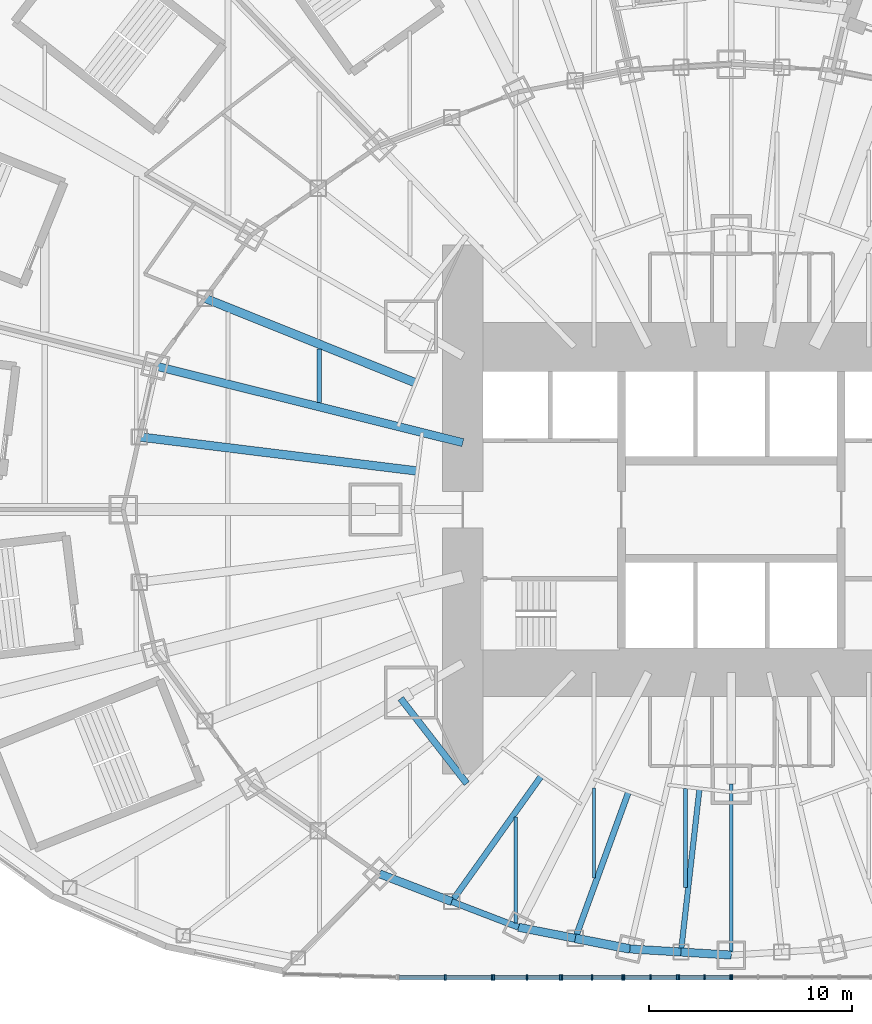
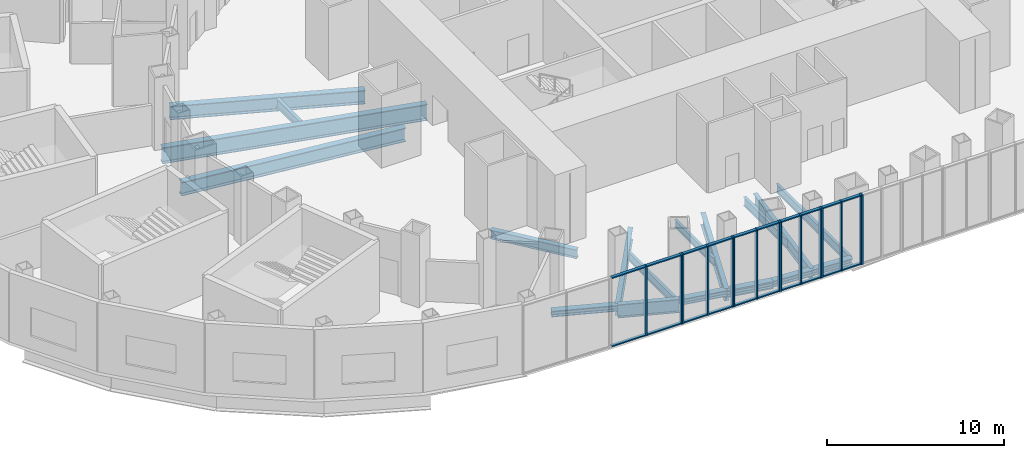
# One storey, part 3 of 73: 35 members, 18 beams, 6 elements without a shape of their own.
"""IFC4 building model written with IfcOpenShell, lengths in metres."""

from ifc_helpers import new_model, si_unit, direction, frame, origin, origin_2d, place, context, subcontext, project, spatial, rectangle, i_section, extrude, material, material_profile, profile_set, type_object, element, aggregate, save


model = new_model("IFC4")

# Units and contexts
model_context = context("Model", 3, precision=1e-05, world=origin(), true_north=direction((0.0, 1.0)))
body_context = subcontext(model_context, "Body", "Model", "MODEL_VIEW")
ifc_project = project(units=[si_unit("LENGTHUNIT", "METRE"), si_unit("AREAUNIT", "SQUARE_METRE"), si_unit("VOLUMEUNIT", "CUBIC_METRE"), si_unit("PLANEANGLEUNIT", "RADIAN"), si_unit("MASSUNIT", "GRAM", prefix="KILO")], contexts=[model_context])

# Site, building, storey
site_placement = place(None, origin())
site = spatial("IfcSite", under=ifc_project, at=site_placement, CompositionType="ELEMENT")
building_placement = place(site_placement, origin())
building = spatial("IfcBuilding", under=site, at=building_placement, Name="Lantaw Convention Tower", CompositionType="ELEMENT")
storey_placement = place(building_placement, frame((0.0, 0.0, 27.0)))
storey = spatial("IfcBuildingStorey", under=building, at=storey_placement, Name="L04", CompositionType="ELEMENT", Elevation=27.0)

# Beams
ifc_material_1 = material(Name="Steel ASTM A992", Category="steel")
ifc_material_profile_1 = material_profile(ifc_material_1, i_section(OverallWidth=0.40380859375, OverallDepth=0.406494140625, WebThickness=0.027099609375, FlangeThickness=0.043701171875, FilletRadius=0.01513671875, at=origin_2d()), Name="W14X233")
ifc_profile_set_1 = profile_set([ifc_material_profile_1], Name="Steel ASTM A992")
beam_type_1 = type_object("IfcBeamType", Name="Beam E W14X233", PredefinedType="SPANDREL", material=ifc_profile_set_1)
beam_1_placement = place(storey_placement, frame((-17.290771484375, -17.9052734375, -0.4033203125), z_axis=(0.933224646415, -0.359293416754, 0.0), x_axis=(0.359293416754, 0.933224646415, 0.0)))
element("IfcBeam", 1, at=beam_1_placement, inside=storey, type_object=beam_type_1, Name="Edge beam 16", PredefinedType="SPANDREL", context=body_context, shape_type="SweptSolid", body=[
    extrude(i_section(OverallWidth=0.40380859375, OverallDepth=0.406494140625, WebThickness=0.027099609375, FlangeThickness=0.043701171875, FilletRadius=0.01513671875, at=origin_2d()), origin(), (0.0, 0.0, 1.0), 3.799072265625),
])
beam_2_placement = place(storey_placement, frame((-10.462646484375, -20.533935546875, -0.4033203125), z_axis=(0.98163593748, -0.190763954266, 0.0), x_axis=(0.190763954266, 0.98163593748, 0.0)))
element("IfcBeam", 2, at=beam_2_placement, inside=storey, type_object=beam_type_1, Name="Edge beam 17", PredefinedType="SPANDREL", context=body_context, shape_type="SweptSolid", body=[
    extrude(i_section(OverallWidth=0.40380859375, OverallDepth=0.406494140625, WebThickness=0.027099609375, FlangeThickness=0.043701171875, FilletRadius=0.01513671875, at=origin_2d()), origin(), (0.0, 0.0, 1.0), 2.84375),
])
beam_3_placement = place(storey_placement, frame((-4.986328125, -21.59814453125, -0.4033203125), z_axis=(0.998172405641, -0.060430527186, 0.0), x_axis=(0.060430527186, 0.998172405641, 0.0)))
element("IfcBeam", 3, at=beam_3_placement, inside=storey, type_object=beam_type_1, Name="Edge beam 18", PredefinedType="SPANDREL", context=body_context, shape_type="SweptSolid", body=[
    extrude(i_section(OverallWidth=0.40380859375, OverallDepth=0.406494140625, WebThickness=0.027099609375, FlangeThickness=0.043701171875, FilletRadius=0.01513671875, at=origin_2d()), origin(), (0.0, 0.0, 1.0), 2.512939453125),
])
beam_4_placement = place(storey_placement, frame((-2.47802734375, -21.75, -0.4033203125), z_axis=(0.998175328335, -0.060382231685, 0.0), x_axis=(0.060382231685, 0.998175328335, 0.0)))
element("IfcBeam", 4, at=beam_4_placement, inside=storey, type_object=beam_type_1, Name="Edge beam 18", PredefinedType="SPANDREL", context=body_context, shape_type="SweptSolid", body=[
    extrude(i_section(OverallWidth=0.40380859375, OverallDepth=0.406494140625, WebThickness=0.027099609375, FlangeThickness=0.043701171875, FilletRadius=0.01513671875, at=origin_2d()), origin(), (0.0, 0.0, 1.0), 2.482666015625),
])
ifc_material_profile_2 = material_profile(ifc_material_1, i_section(OverallWidth=0.431884765625, OverallDepth=0.497802734375, WebThickness=0.0556640625, FlangeThickness=0.0888671875, FilletRadius=0.01513671875, at=origin_2d()), Name="W14X500")
ifc_profile_set_2 = profile_set([ifc_material_profile_2], Name="Steel ASTM A992")
beam_type_2 = type_object("IfcBeamType", Name="Beam E W14X500", PredefinedType="SPANDREL", material=ifc_profile_set_2)
beam_5_placement = place(storey_placement, frame((-7.671142578125, -21.076416015625, -0.448974609375), z_axis=(0.981637218105, -0.190757364289, 0.0), x_axis=(0.190757364289, 0.981637218105, 0.0)))
element("IfcBeam", 5, at=beam_5_placement, inside=storey, type_object=beam_type_2, Name="Edge beam 17", PredefinedType="SPANDREL", context=body_context, shape_type="SweptSolid", body=[
    extrude(i_section(OverallWidth=0.431884765625, OverallDepth=0.497802734375, WebThickness=0.0556640625, FlangeThickness=0.0888671875, FilletRadius=0.01513671875, at=origin_2d()), origin(), (0.0, 0.0, 1.0), 2.735107421875),
])
ifc_material_profile_3 = material_profile(ifc_material_1, i_section(OverallWidth=0.307373046875, OverallDepth=0.922119140625, WebThickness=0.018310546875, FlangeThickness=0.030029296875, FilletRadius=0.0126953125, at=origin_2d()), Name="W36X182")
ifc_profile_set_3 = profile_set([ifc_material_profile_3], Name="Steel ASTM A992")
beam_type_3 = type_object("IfcBeamType", Name="Beam E W36X182", PredefinedType="SPANDREL", material=ifc_profile_set_3)
beam_6_placement = place(storey_placement, frame((-13.745361328125, -19.270263671875, -0.660888671875), z_axis=(0.933241815012, -0.359248820058, 0.0), x_axis=(0.359248820058, 0.933241815012, 0.0)))
element("IfcBeam", 6, at=beam_6_placement, inside=storey, type_object=beam_type_3, Name="Edge beam 16", PredefinedType="SPANDREL", context=body_context, shape_type="SweptSolid", body=[
    extrude(i_section(OverallWidth=0.307373046875, OverallDepth=0.922119140625, WebThickness=0.018310546875, FlangeThickness=0.030029296875, FilletRadius=0.0126953125, at=origin_2d()), origin(), (0.0, 0.0, 1.0), 3.517578125),
])
ifc_material_profile_4 = material_profile(ifc_material_1, i_section(OverallWidth=0.177978515625, OverallDepth=0.599365234375, WebThickness=0.010009765625, FlangeThickness=0.012939453125, FilletRadius=0.012939453125, at=origin_2d()), Name="W24X55")
ifc_profile_set_4 = profile_set([ifc_material_profile_4], Name="Steel ASTM A992")
beam_type_4 = type_object("IfcBeamType", Name="Beam G W24X55", PredefinedType="BEAM", material=ifc_profile_set_4)
beam_7_placement = place(storey_placement, frame((0.0, -13.5, -0.499755859375), z_axis=(0.0, -1.0, 0.0), x_axis=(1.0, 0.0, 0.0)))
element("IfcBeam", 7, at=beam_7_placement, inside=storey, type_object=beam_type_4, Name="Floor girder on ray 19", PredefinedType="BEAM", context=body_context, shape_type="SweptSolid", body=[
    extrude(i_section(OverallWidth=0.177978515625, OverallDepth=0.599365234375, WebThickness=0.010009765625, FlangeThickness=0.012939453125, FilletRadius=0.012939453125, at=origin_2d()), origin(), (0.0, 0.0, 1.0), 8.39990234375),
])
ifc_material_profile_5 = material_profile(ifc_material_1, i_section(OverallWidth=0.2666015625, OverallDepth=0.76953125, WebThickness=0.015625, FlangeThickness=0.025390625, FilletRadius=0.0126953125, at=origin_2d()), Name="W30X132")
ifc_profile_set_5 = profile_set([ifc_material_profile_5], Name="Steel ASTM A992")
beam_type_5 = type_object("IfcBeamType", Name="Beam G W30X132", PredefinedType="BEAM", material=ifc_profile_set_5)
beam_8_placement = place(storey_placement, frame((-1.5625, -13.713134765625, -0.584716796875), z_axis=(-0.113183957156, -0.993574049501, 0.0), x_axis=(0.993574049501, -0.113183957156, 0.0)))
element("IfcBeam", 8, at=beam_8_placement, inside=storey, type_object=beam_type_5, Name="Floor girder on bisector 18", PredefinedType="BEAM", context=body_context, shape_type="SweptSolid", body=[
    extrude(i_section(OverallWidth=0.2666015625, OverallDepth=0.76953125, WebThickness=0.015625, FlangeThickness=0.025390625, FilletRadius=0.0126953125, at=origin_2d()), origin(), (0.0, 0.0, 1.0), 8.0888671875),
])
ifc_material_profile_6 = material_profile(ifc_material_1, i_section(OverallWidth=0.2919921875, OverallDepth=0.845703125, WebThickness=0.015380859375, FlangeThickness=0.0244140625, FilletRadius=0.01513671875, at=origin_2d()), Name="W33X141")
ifc_profile_set_6 = profile_set([ifc_material_profile_6], Name="Steel ASTM A992")
beam_type_6 = type_object("IfcBeamType", Name="Beam G W33X141", PredefinedType="BEAM", material=ifc_profile_set_6)
beam_9_placement = place(storey_placement, frame((-9.335693359375, -13.088134765625, -0.622802734375), z_axis=(-0.580702805158, -0.814115625745, 0.0), x_axis=(0.814115625745, -0.580702805158, 0.0)))
element("IfcBeam", 9, at=beam_9_placement, inside=storey, type_object=beam_type_6, Name="Floor girder on bisector 16", PredefinedType="BEAM", context=body_context, shape_type="SweptSolid", body=[
    extrude(i_section(OverallWidth=0.2919921875, OverallDepth=0.845703125, WebThickness=0.015380859375, FlangeThickness=0.0244140625, FilletRadius=0.01513671875, at=origin_2d()), origin(), (0.0, 0.0, 1.0), 7.59375),
])
beam_10_placement = place(storey_placement, frame((-5.04931640625, -13.873046875, -0.622802734375), z_axis=(-0.342021781151, -0.939692024664, 0.0), x_axis=(0.939692024664, -0.342021781151, 0.0)))
element("IfcBeam", 10, at=beam_10_placement, inside=storey, type_object=beam_type_6, Name="Floor girder on bisector 17", PredefinedType="BEAM", context=body_context, shape_type="SweptSolid", body=[
    extrude(i_section(OverallWidth=0.2919921875, OverallDepth=0.845703125, WebThickness=0.015380859375, FlangeThickness=0.0244140625, FilletRadius=0.01513671875, at=origin_2d()), origin(), (0.0, 0.0, 1.0), 7.665771484375),
])
ifc_material_profile_7 = material_profile(ifc_material_1, i_section(OverallWidth=0.421630859375, OverallDepth=0.937255859375, WebThickness=0.0224609375, FlangeThickness=0.039794921875, FilletRadius=0.02001953125, at=origin_2d()), Name="W36X282")
ifc_profile_set_7 = profile_set([ifc_material_profile_7], Name="Steel ASTM A992")
beam_type_7 = type_object("IfcBeamType", Name="Beam G W36X282", PredefinedType="BEAM", material=ifc_profile_set_7)
beam_11_placement = place(storey_placement, frame((-15.52001953125, 6.23046875, -0.668701171875), z_axis=(-0.928018900171, 0.372533113864, 0.0), x_axis=(-0.372533113864, -0.928018900171, 0.0)))
element("IfcBeam", 11, at=beam_11_placement, inside=storey, type_object=beam_type_7, Name="Floor girder on bisector 11", PredefinedType="BEAM", context=body_context, shape_type="SweptSolid", body=[
    extrude(i_section(OverallWidth=0.421630859375, OverallDepth=0.937255859375, WebThickness=0.0224609375, FlangeThickness=0.039794921875, FilletRadius=0.02001953125, at=origin_2d()), origin(), (0.0, 0.0, 1.0), 11.161376953125),
])
beam_12_placement = place(storey_placement, frame((-15.433349609375, 1.89501953125, -0.668701171875), z_axis=(-0.99254612715, 0.121869542874, 0.0), x_axis=(-0.121869542874, -0.99254612715, 0.0)))
element("IfcBeam", 12, at=beam_12_placement, inside=storey, type_object=beam_type_7, Name="Floor girder on bisector 12", PredefinedType="BEAM", context=body_context, shape_type="SweptSolid", body=[
    extrude(i_section(OverallWidth=0.421630859375, OverallDepth=0.937255859375, WebThickness=0.0224609375, FlangeThickness=0.039794921875, FilletRadius=0.02001953125, at=origin_2d()), origin(), (0.0, 0.0, 1.0), 13.7685546875),
])
ifc_material_profile_8 = material_profile(ifc_material_1, i_section(OverallWidth=0.40380859375, OverallDepth=1.11767578125, WebThickness=0.026123046875, FlangeThickness=0.044921875, FilletRadius=0.02001953125, at=origin_2d()), Name="W44X335")
ifc_profile_set_8 = profile_set([ifc_material_profile_8], Name="Steel ASTM A992")
beam_type_8 = type_object("IfcBeamType", Name="Beam G W44X335", PredefinedType="BEAM", material=ifc_profile_set_8)
beam_13_placement = place(storey_placement, frame((-13.199951171875, 3.291015625, -0.7587890625), z_axis=(-0.970296233567, 0.241919860957, 0.0), x_axis=(-0.241919860957, -0.970296233567, 0.0)))
element("IfcBeam", 13, at=beam_13_placement, inside=storey, type_object=beam_type_8, Name="Floor girder on ray 12", PredefinedType="BEAM", context=body_context, shape_type="SweptSolid", body=[
    extrude(i_section(OverallWidth=0.40380859375, OverallDepth=1.11767578125, WebThickness=0.026123046875, FlangeThickness=0.044921875, FilletRadius=0.02001953125, at=origin_2d()), origin(), (0.0, 0.0, 1.0), 15.580810546875),
])
ifc_material_profile_9 = material_profile(ifc_material_1, i_section(OverallWidth=0.3251953125, OverallDepth=0.612060546875, WebThickness=0.0126953125, FlangeThickness=0.01904296875, FilletRadius=0.0126953125, at=origin_2d()), Name="W24X104")
ifc_profile_set_9 = profile_set([ifc_material_profile_9], Name="Steel ASTM A992")
beam_type_9 = type_object("IfcBeamType", Name="Beam HC W24X104", PredefinedType="BEAM", material=ifc_profile_set_9)
beam_14_placement = place(storey_placement, frame((-16.2529296875, -9.287353515625, -0.506103515625), z_axis=(0.613915067401, -0.789372085913, 0.0), x_axis=(0.789372085913, 0.613915067401, 0.0)))
element("IfcBeam", 14, at=beam_14_placement, inside=storey, type_object=beam_type_9, Name="Collar beam on bisector 15", PredefinedType="BEAM", context=body_context, shape_type="SweptSolid", body=[
    extrude(i_section(OverallWidth=0.3251953125, OverallDepth=0.612060546875, WebThickness=0.0126953125, FlangeThickness=0.01904296875, FilletRadius=0.0126953125, at=origin_2d()), origin(), (0.0, 0.0, 1.0), 5.293212890625),
])
ifc_material_profile_10 = material_profile(ifc_material_1, i_section(OverallWidth=0.1650390625, OverallDepth=0.52587890625, WebThickness=0.0087890625, FlangeThickness=0.011474609375, FilletRadius=0.0126953125, at=origin_2d()), Name="W21X44")
ifc_profile_set_10 = profile_set([ifc_material_profile_10], Name="Steel ASTM A992")
beam_type_10 = type_object("IfcBeamType", Name="Beam J W21X44", PredefinedType="JOIST", material=ifc_profile_set_10)
beam_15_placement = place(storey_placement, frame((-6.75, -18.118408203125, -0.462890625), z_axis=(0.0, 1.0, 0.0), x_axis=(-1.0, 0.0, 0.0)))
element("IfcBeam", 15, at=beam_15_placement, inside=storey, type_object=beam_type_10, Name="Floor joist", PredefinedType="JOIST", context=body_context, shape_type="SweptSolid", body=[
    extrude(i_section(OverallWidth=0.1650390625, OverallDepth=0.52587890625, WebThickness=0.0087890625, FlangeThickness=0.011474609375, FilletRadius=0.0126953125, at=origin_2d()), origin(), (0.0, 0.0, 1.0), 4.425048828125),
])
ifc_material_profile_11 = material_profile(ifc_material_1, i_section(OverallWidth=0.177978515625, OverallDepth=0.599365234375, WebThickness=0.010009765625, FlangeThickness=0.012939453125, FilletRadius=0.012939453125, at=origin_2d()), Name="W24X55")
ifc_profile_set_11 = profile_set([ifc_material_profile_11], Name="Steel ASTM A992")
beam_type_11 = type_object("IfcBeamType", Name="Beam J W24X55", PredefinedType="JOIST", material=ifc_profile_set_11)
beam_16_placement = place(storey_placement, frame((-10.60009765625, -20.31640625, -0.499755859375), z_axis=(0.0, 1.0, 0.0), x_axis=(-1.0, 0.0, 0.0)))
element("IfcBeam", 16, at=beam_16_placement, inside=storey, type_object=beam_type_11, Name="Floor joist", PredefinedType="JOIST", context=body_context, shape_type="SweptSolid", body=[
    extrude(i_section(OverallWidth=0.177978515625, OverallDepth=0.599365234375, WebThickness=0.010009765625, FlangeThickness=0.012939453125, FilletRadius=0.012939453125, at=origin_2d()), origin(), (0.0, 0.0, 1.0), 5.204345703125),
])
beam_17_placement = place(storey_placement, frame((-2.25, -18.570068359375, -0.499755859375), z_axis=(0.0, 1.0, 0.0), x_axis=(-1.0, 0.0, 0.0)))
element("IfcBeam", 17, at=beam_17_placement, inside=storey, type_object=beam_type_11, Name="Floor joist", PredefinedType="JOIST", context=body_context, shape_type="SweptSolid", body=[
    extrude(i_section(OverallWidth=0.177978515625, OverallDepth=0.599365234375, WebThickness=0.010009765625, FlangeThickness=0.012939453125, FilletRadius=0.012939453125, at=origin_2d()), origin(), (0.0, 0.0, 1.0), 4.851806640625),
])
ifc_material_profile_12 = material_profile(ifc_material_1, i_section(OverallWidth=0.227783203125, OverallDepth=0.60205078125, WebThickness=0.010498046875, FlangeThickness=0.014892578125, FilletRadius=0.012939453125, at=origin_2d()), Name="W24X68")
ifc_profile_set_12 = profile_set([ifc_material_profile_12], Name="Steel ASTM A992")
beam_type_12 = type_object("IfcBeamType", Name="Beam J W24X68", PredefinedType="JOIST", material=ifc_profile_set_12)
beam_18_placement = place(storey_placement, frame((-20.25, 5.257080078125, -0.5009765625), z_axis=(0.0, 1.0, 0.0), x_axis=(-1.0, 0.0, 0.0)))
element("IfcBeam", 18, at=beam_18_placement, inside=storey, type_object=beam_type_12, Name="Floor joist", PredefinedType="JOIST", context=body_context, shape_type="SweptSolid", body=[
    extrude(i_section(OverallWidth=0.227783203125, OverallDepth=0.60205078125, WebThickness=0.010498046875, FlangeThickness=0.014892578125, FilletRadius=0.012939453125, at=origin_2d()), origin(), (0.0, 0.0, 1.0), 2.64501953125),
])

# Curtain wall, members
ifc_material_2 = material(Name="Aluminium framed curtain wall", Category="aluminium")
curtain_wall_type = type_object("IfcCurtainWallType", Name="Podium storefront curtain wall, pale aluminium", PredefinedType="USERDEFINED", material=ifc_material_2)
curtain_wall_1_placement = place(storey_placement, origin())
curtain_wall_1 = element("IfcCurtainWall", 19, at=curtain_wall_1_placement, inside=storey, type_object=curtain_wall_type, Name="Podium storefront curtain wall, pale aluminium L04", ObjectType="STOREFRONT", PredefinedType="USERDEFINED")
ifc_material_3 = material(Name="Aluminium 6063-T6", Category="aluminium")
ifc_material_profile_13 = material_profile(ifc_material_3, rectangle(XDim=0.25, YDim=0.080078125, at=origin_2d()), Name="CW-P mullion 80x250")
ifc_profile_set_13 = profile_set([ifc_material_profile_13], Name="Aluminium 6063-T6")
member_type_1 = type_object("IfcMemberType", Name="CW-P mullion 80x250", PredefinedType="MULLION", material=ifc_profile_set_13)
member_1_placement = place(storey_placement, frame((-14.0625, -23.0, 0.0), z_axis=(0.0, 0.0, 1.0), x_axis=(0.0, 1.0, 0.0)))
member_1 = element("IfcMember", 20, at=member_1_placement, type_object=member_type_1, Name="CW-P mullion 2", PredefinedType="MULLION", context=body_context, shape_type="SweptSolid", body=[
    extrude(rectangle(XDim=0.25, YDim=0.080078125, at=origin_2d()), origin(), (0.0, 0.0, 1.0), 4.800048828125),
])
member_2_placement = place(storey_placement, frame((-11.759033203125, -23.0, 0.0), z_axis=(0.0, 0.0, 1.0), x_axis=(0.0, 1.0, 0.0)))
member_2 = element("IfcMember", 21, at=member_2_placement, type_object=member_type_1, Name="CW-P mullion 3", PredefinedType="MULLION", context=body_context, shape_type="SweptSolid", body=[
    extrude(rectangle(XDim=0.25, YDim=0.080078125, at=origin_2d()), origin(), (0.0, 0.0, 1.0), 4.800048828125),
])

curtain_wall_2_placement = place(storey_placement, origin())
curtain_wall_2 = element("IfcCurtainWall", 22, at=curtain_wall_2_placement, inside=storey, type_object=curtain_wall_type, Name="Podium storefront curtain wall, pale aluminium L04", ObjectType="STOREFRONT", PredefinedType="USERDEFINED")
member_3_placement = place(storey_placement, frame((-11.67919921875, -23.0, 0.0), z_axis=(0.0, 0.0, 1.0), x_axis=(0.0, 1.0, 0.0)))
member_3 = element("IfcMember", 23, at=member_3_placement, type_object=member_type_1, Name="CW-P mullion 1", PredefinedType="MULLION", context=body_context, shape_type="SweptSolid", body=[
    extrude(rectangle(XDim=0.25, YDim=0.080078125, at=origin_2d()), origin(), (0.0, 0.0, 1.0), 4.800048828125),
])
member_4_placement = place(storey_placement, frame((-10.045166015625, -23.0, 0.0), z_axis=(0.0, 0.0, 1.0), x_axis=(0.0, 1.0, 0.0)))
member_4 = element("IfcMember", 24, at=member_4_placement, type_object=member_type_1, Name="CW-P mullion 2", PredefinedType="MULLION", context=body_context, shape_type="SweptSolid", body=[
    extrude(rectangle(XDim=0.25, YDim=0.080078125, at=origin_2d()), origin(), (0.0, 0.0, 1.0), 4.800048828125),
])
member_5_placement = place(storey_placement, frame((-8.411376953125, -23.0, 0.0), z_axis=(0.0, 0.0, 1.0), x_axis=(0.0, 1.0, 0.0)))
member_5 = element("IfcMember", 25, at=member_5_placement, type_object=member_type_1, Name="CW-P mullion 3", PredefinedType="MULLION", context=body_context, shape_type="SweptSolid", body=[
    extrude(rectangle(XDim=0.25, YDim=0.080078125, at=origin_2d()), origin(), (0.0, 0.0, 1.0), 4.800048828125),
])

curtain_wall_3_placement = place(storey_placement, origin())
curtain_wall_3 = element("IfcCurtainWall", 26, at=curtain_wall_3_placement, inside=storey, type_object=curtain_wall_type, Name="Podium storefront curtain wall, pale aluminium L04", ObjectType="STOREFRONT", PredefinedType="USERDEFINED")
member_6_placement = place(storey_placement, frame((-8.331298828125, -23.0, 0.0), z_axis=(0.0, 0.0, 1.0), x_axis=(0.0, 1.0, 0.0)))
member_6 = element("IfcMember", 27, at=member_6_placement, type_object=member_type_1, Name="CW-P mullion 1", PredefinedType="MULLION", context=body_context, shape_type="SweptSolid", body=[
    extrude(rectangle(XDim=0.25, YDim=0.080078125, at=origin_2d()), origin(), (0.0, 0.0, 1.0), 4.800048828125),
])
member_7_placement = place(storey_placement, frame((-6.840576171875, -23.0, 0.0), z_axis=(0.0, 0.0, 1.0), x_axis=(0.0, 1.0, 0.0)))
member_7 = element("IfcMember", 28, at=member_7_placement, type_object=member_type_1, Name="CW-P mullion 2", PredefinedType="MULLION", context=body_context, shape_type="SweptSolid", body=[
    extrude(rectangle(XDim=0.25, YDim=0.080078125, at=origin_2d()), origin(), (0.0, 0.0, 1.0), 4.800048828125),
])
member_8_placement = place(storey_placement, frame((-5.349853515625, -23.0, 0.0), z_axis=(0.0, 0.0, 1.0), x_axis=(0.0, 1.0, 0.0)))
member_8 = element("IfcMember", 29, at=member_8_placement, type_object=member_type_1, Name="CW-P mullion 3", PredefinedType="MULLION", context=body_context, shape_type="SweptSolid", body=[
    extrude(rectangle(XDim=0.25, YDim=0.080078125, at=origin_2d()), origin(), (0.0, 0.0, 1.0), 4.800048828125),
])

curtain_wall_4_placement = place(storey_placement, origin())
curtain_wall_4 = element("IfcCurtainWall", 30, at=curtain_wall_4_placement, inside=storey, type_object=curtain_wall_type, Name="Podium storefront curtain wall, pale aluminium L04", ObjectType="STOREFRONT", PredefinedType="USERDEFINED")
member_9_placement = place(storey_placement, frame((-5.27001953125, -23.0, 0.0), z_axis=(0.0, 0.0, 1.0), x_axis=(0.0, 1.0, 0.0)))
member_9 = element("IfcMember", 31, at=member_9_placement, type_object=member_type_1, Name="CW-P mullion 1", PredefinedType="MULLION", context=body_context, shape_type="SweptSolid", body=[
    extrude(rectangle(XDim=0.25, YDim=0.080078125, at=origin_2d()), origin(), (0.0, 0.0, 1.0), 4.800048828125),
])
member_10_placement = place(storey_placement, frame((-3.96533203125, -23.0, 0.0), z_axis=(0.0, 0.0, 1.0), x_axis=(0.0, 1.0, 0.0)))
member_10 = element("IfcMember", 32, at=member_10_placement, type_object=member_type_1, Name="CW-P mullion 2", PredefinedType="MULLION", context=body_context, shape_type="SweptSolid", body=[
    extrude(rectangle(XDim=0.25, YDim=0.080078125, at=origin_2d()), origin(), (0.0, 0.0, 1.0), 4.800048828125),
])
member_11_placement = place(storey_placement, frame((-2.660400390625, -23.0, 0.0), z_axis=(0.0, 0.0, 1.0), x_axis=(0.0, 1.0, 0.0)))
member_11 = element("IfcMember", 33, at=member_11_placement, type_object=member_type_1, Name="CW-P mullion 3", PredefinedType="MULLION", context=body_context, shape_type="SweptSolid", body=[
    extrude(rectangle(XDim=0.25, YDim=0.080078125, at=origin_2d()), origin(), (0.0, 0.0, 1.0), 4.800048828125),
])

curtain_wall_5_placement = place(storey_placement, origin())
curtain_wall_5 = element("IfcCurtainWall", 34, at=curtain_wall_5_placement, inside=storey, type_object=curtain_wall_type, Name="Podium storefront curtain wall, pale aluminium L04", ObjectType="STOREFRONT", PredefinedType="USERDEFINED")
member_12_placement = place(storey_placement, frame((-2.58056640625, -23.0, 0.0), z_axis=(0.0, 0.0, 1.0), x_axis=(0.0, 1.0, 0.0)))
member_12 = element("IfcMember", 35, at=member_12_placement, type_object=member_type_1, Name="CW-P mullion 1", PredefinedType="MULLION", context=body_context, shape_type="SweptSolid", body=[
    extrude(rectangle(XDim=0.25, YDim=0.080078125, at=origin_2d()), origin(), (0.0, 0.0, 1.0), 4.800048828125),
])
member_13_placement = place(storey_placement, frame((-1.310302734375, -23.0, 0.0), z_axis=(0.0, 0.0, 1.0), x_axis=(0.0, 1.0, 0.0)))
member_13 = element("IfcMember", 36, at=member_13_placement, type_object=member_type_1, Name="CW-P mullion 2", PredefinedType="MULLION", context=body_context, shape_type="SweptSolid", body=[
    extrude(rectangle(XDim=0.25, YDim=0.080078125, at=origin_2d()), origin(), (0.0, 0.0, 1.0), 4.800048828125),
])
member_14_placement = place(storey_placement, frame((-0.0400390625, -23.0, 0.0), z_axis=(0.0, 0.0, 1.0), x_axis=(0.0, 1.0, 0.0)))
member_14 = element("IfcMember", 37, at=member_14_placement, type_object=member_type_1, Name="CW-P mullion 3", PredefinedType="MULLION", context=body_context, shape_type="SweptSolid", body=[
    extrude(rectangle(XDim=0.25, YDim=0.080078125, at=origin_2d()), origin(), (0.0, 0.0, 1.0), 4.800048828125),
])

# Curtain wall, member
curtain_wall_6_placement = place(storey_placement, origin())
curtain_wall_6 = element("IfcCurtainWall", 38, at=curtain_wall_6_placement, inside=storey, type_object=curtain_wall_type, Name="Podium storefront curtain wall, pale aluminium L04", ObjectType="STOREFRONT", PredefinedType="USERDEFINED")
member_15_placement = place(storey_placement, frame((0.0400390625, -23.0, 0.0), z_axis=(0.0, 0.0, 1.0), x_axis=(0.0, 1.0, 0.0)))
member_15 = element("IfcMember", 39, at=member_15_placement, type_object=member_type_1, Name="CW-P mullion 1", PredefinedType="MULLION", context=body_context, shape_type="SweptSolid", body=[
    extrude(rectangle(XDim=0.25, YDim=0.080078125, at=origin_2d()), origin(), (0.0, 0.0, 1.0), 4.800048828125),
])
aggregate(curtain_wall_6, [member_15])

# Member
ifc_material_profile_14 = material_profile(ifc_material_3, rectangle(XDim=0.199951171875, YDim=0.080078125, at=origin_2d()), Name="CW-P transom 80x200")
ifc_profile_set_14 = profile_set([ifc_material_profile_14], Name="Aluminium 6063-T6")
member_type_2 = type_object("IfcMemberType", Name="CW-P transom 80x200", PredefinedType="USERDEFINED", material=ifc_profile_set_14)
member_16_placement = place(storey_placement, frame((-16.32568359375, -23.0, 0.0400390625), z_axis=(1.0, 0.0, 0.0), x_axis=(0.0, 1.0, 0.0)))
member_16 = element("IfcMember", 40, at=member_16_placement, type_object=member_type_2, Name="CW-P transom 1.1", ObjectType="TRANSOM", PredefinedType="USERDEFINED", context=body_context, shape_type="SweptSolid", body=[
    extrude(rectangle(XDim=0.199951171875, YDim=0.080078125, at=origin_2d()), origin(), (0.0, 0.0, 1.0), 2.223388671875),
])

member_17_placement = place(storey_placement, frame((-16.32568359375, -23.0, 4.760009765625), z_axis=(1.0, 0.0, 0.0), x_axis=(0.0, 1.0, 0.0)))
member_17 = element("IfcMember", 41, at=member_17_placement, type_object=member_type_2, Name="CW-P transom 1.2", ObjectType="TRANSOM", PredefinedType="USERDEFINED", context=body_context, shape_type="SweptSolid", body=[
    extrude(rectangle(XDim=0.199951171875, YDim=0.080078125, at=origin_2d()), origin(), (0.0, 0.0, 1.0), 2.223388671875),
])

member_18_placement = place(storey_placement, frame((-14.0224609375, -23.0, 0.0400390625), z_axis=(1.0, 0.0, 0.0), x_axis=(0.0, 1.0, 0.0)))
member_18 = element("IfcMember", 42, at=member_18_placement, type_object=member_type_2, Name="CW-P transom 2.1", ObjectType="TRANSOM", PredefinedType="USERDEFINED", context=body_context, shape_type="SweptSolid", body=[
    extrude(rectangle(XDim=0.199951171875, YDim=0.080078125, at=origin_2d()), origin(), (0.0, 0.0, 1.0), 2.223388671875),
])

member_19_placement = place(storey_placement, frame((-14.0224609375, -23.0, 4.760009765625), z_axis=(1.0, 0.0, 0.0), x_axis=(0.0, 1.0, 0.0)))
member_19 = element("IfcMember", 43, at=member_19_placement, type_object=member_type_2, Name="CW-P transom 2.2", ObjectType="TRANSOM", PredefinedType="USERDEFINED", context=body_context, shape_type="SweptSolid", body=[
    extrude(rectangle(XDim=0.199951171875, YDim=0.080078125, at=origin_2d()), origin(), (0.0, 0.0, 1.0), 2.223388671875),
])

aggregate(curtain_wall_1, [member_1, member_2, member_16, member_17, member_18, member_19])

member_20_placement = place(storey_placement, frame((-11.63916015625, -23.0, 0.0400390625), z_axis=(1.0, 0.0, 0.0), x_axis=(0.0, 1.0, 0.0)))
member_20 = element("IfcMember", 44, at=member_20_placement, type_object=member_type_2, Name="CW-P transom 1.1", ObjectType="TRANSOM", PredefinedType="USERDEFINED", context=body_context, shape_type="SweptSolid", body=[
    extrude(rectangle(XDim=0.199951171875, YDim=0.080078125, at=origin_2d()), origin(), (0.0, 0.0, 1.0), 1.553955078125),
])

member_21_placement = place(storey_placement, frame((-11.63916015625, -23.0, 4.760009765625), z_axis=(1.0, 0.0, 0.0), x_axis=(0.0, 1.0, 0.0)))
member_21 = element("IfcMember", 45, at=member_21_placement, type_object=member_type_2, Name="CW-P transom 1.2", ObjectType="TRANSOM", PredefinedType="USERDEFINED", context=body_context, shape_type="SweptSolid", body=[
    extrude(rectangle(XDim=0.199951171875, YDim=0.080078125, at=origin_2d()), origin(), (0.0, 0.0, 1.0), 1.553955078125),
])

member_22_placement = place(storey_placement, frame((-10.005126953125, -23.0, 0.0400390625), z_axis=(1.0, 0.0, 0.0), x_axis=(0.0, 1.0, 0.0)))
member_22 = element("IfcMember", 46, at=member_22_placement, type_object=member_type_2, Name="CW-P transom 2.1", ObjectType="TRANSOM", PredefinedType="USERDEFINED", context=body_context, shape_type="SweptSolid", body=[
    extrude(rectangle(XDim=0.199951171875, YDim=0.080078125, at=origin_2d()), origin(), (0.0, 0.0, 1.0), 1.5537109375),
])

member_23_placement = place(storey_placement, frame((-10.005126953125, -23.0, 4.760009765625), z_axis=(1.0, 0.0, 0.0), x_axis=(0.0, 1.0, 0.0)))
member_23 = element("IfcMember", 47, at=member_23_placement, type_object=member_type_2, Name="CW-P transom 2.2", ObjectType="TRANSOM", PredefinedType="USERDEFINED", context=body_context, shape_type="SweptSolid", body=[
    extrude(rectangle(XDim=0.199951171875, YDim=0.080078125, at=origin_2d()), origin(), (0.0, 0.0, 1.0), 1.5537109375),
])

aggregate(curtain_wall_2, [member_3, member_4, member_5, member_20, member_21, member_22, member_23])

member_24_placement = place(storey_placement, frame((-8.291259765625, -23.0, 0.0400390625), z_axis=(1.0, 0.0, 0.0), x_axis=(0.0, 1.0, 0.0)))
member_24 = element("IfcMember", 48, at=member_24_placement, type_object=member_type_2, Name="CW-P transom 1.1", ObjectType="TRANSOM", PredefinedType="USERDEFINED", context=body_context, shape_type="SweptSolid", body=[
    extrude(rectangle(XDim=0.199951171875, YDim=0.080078125, at=origin_2d()), origin(), (0.0, 0.0, 1.0), 1.41064453125),
])

member_25_placement = place(storey_placement, frame((-8.291259765625, -23.0, 4.760009765625), z_axis=(1.0, 0.0, 0.0), x_axis=(0.0, 1.0, 0.0)))
member_25 = element("IfcMember", 49, at=member_25_placement, type_object=member_type_2, Name="CW-P transom 1.2", ObjectType="TRANSOM", PredefinedType="USERDEFINED", context=body_context, shape_type="SweptSolid", body=[
    extrude(rectangle(XDim=0.199951171875, YDim=0.080078125, at=origin_2d()), origin(), (0.0, 0.0, 1.0), 1.41064453125),
])

member_26_placement = place(storey_placement, frame((-6.800537109375, -23.0, 0.0400390625), z_axis=(1.0, 0.0, 0.0), x_axis=(0.0, 1.0, 0.0)))
member_26 = element("IfcMember", 50, at=member_26_placement, type_object=member_type_2, Name="CW-P transom 2.1", ObjectType="TRANSOM", PredefinedType="USERDEFINED", context=body_context, shape_type="SweptSolid", body=[
    extrude(rectangle(XDim=0.199951171875, YDim=0.080078125, at=origin_2d()), origin(), (0.0, 0.0, 1.0), 1.41064453125),
])

member_27_placement = place(storey_placement, frame((-6.800537109375, -23.0, 4.760009765625), z_axis=(1.0, 0.0, 0.0), x_axis=(0.0, 1.0, 0.0)))
member_27 = element("IfcMember", 51, at=member_27_placement, type_object=member_type_2, Name="CW-P transom 2.2", ObjectType="TRANSOM", PredefinedType="USERDEFINED", context=body_context, shape_type="SweptSolid", body=[
    extrude(rectangle(XDim=0.199951171875, YDim=0.080078125, at=origin_2d()), origin(), (0.0, 0.0, 1.0), 1.41064453125),
])

aggregate(curtain_wall_3, [member_6, member_7, member_8, member_24, member_25, member_26, member_27])

member_28_placement = place(storey_placement, frame((-5.22998046875, -23.0, 0.0400390625), z_axis=(1.0, 0.0, 0.0), x_axis=(0.0, 1.0, 0.0)))
member_28 = element("IfcMember", 52, at=member_28_placement, type_object=member_type_2, Name="CW-P transom 1.1", ObjectType="TRANSOM", PredefinedType="USERDEFINED", context=body_context, shape_type="SweptSolid", body=[
    extrude(rectangle(XDim=0.199951171875, YDim=0.080078125, at=origin_2d()), origin(), (0.0, 0.0, 1.0), 1.224853515625),
])

member_29_placement = place(storey_placement, frame((-5.22998046875, -23.0, 4.760009765625), z_axis=(1.0, 0.0, 0.0), x_axis=(0.0, 1.0, 0.0)))
member_29 = element("IfcMember", 53, at=member_29_placement, type_object=member_type_2, Name="CW-P transom 1.2", ObjectType="TRANSOM", PredefinedType="USERDEFINED", context=body_context, shape_type="SweptSolid", body=[
    extrude(rectangle(XDim=0.199951171875, YDim=0.080078125, at=origin_2d()), origin(), (0.0, 0.0, 1.0), 1.224853515625),
])

member_30_placement = place(storey_placement, frame((-3.92529296875, -23.0, 0.0400390625), z_axis=(1.0, 0.0, 0.0), x_axis=(0.0, 1.0, 0.0)))
member_30 = element("IfcMember", 54, at=member_30_placement, type_object=member_type_2, Name="CW-P transom 2.1", ObjectType="TRANSOM", PredefinedType="USERDEFINED", context=body_context, shape_type="SweptSolid", body=[
    extrude(rectangle(XDim=0.199951171875, YDim=0.080078125, at=origin_2d()), origin(), (0.0, 0.0, 1.0), 1.224853515625),
])

member_31_placement = place(storey_placement, frame((-3.92529296875, -23.0, 4.760009765625), z_axis=(1.0, 0.0, 0.0), x_axis=(0.0, 1.0, 0.0)))
member_31 = element("IfcMember", 55, at=member_31_placement, type_object=member_type_2, Name="CW-P transom 2.2", ObjectType="TRANSOM", PredefinedType="USERDEFINED", context=body_context, shape_type="SweptSolid", body=[
    extrude(rectangle(XDim=0.199951171875, YDim=0.080078125, at=origin_2d()), origin(), (0.0, 0.0, 1.0), 1.224853515625),
])

aggregate(curtain_wall_4, [member_9, member_10, member_11, member_28, member_29, member_30, member_31])

member_32_placement = place(storey_placement, frame((-2.54052734375, -23.0, 0.0400390625), z_axis=(1.0, 0.0, 0.0), x_axis=(0.0, 1.0, 0.0)))
member_32 = element("IfcMember", 56, at=member_32_placement, type_object=member_type_2, Name="CW-P transom 1.1", ObjectType="TRANSOM", PredefinedType="USERDEFINED", context=body_context, shape_type="SweptSolid", body=[
    extrude(rectangle(XDim=0.199951171875, YDim=0.080078125, at=origin_2d()), origin(), (0.0, 0.0, 1.0), 1.190185546875),
])

member_33_placement = place(storey_placement, frame((-2.54052734375, -23.0, 4.760009765625), z_axis=(1.0, 0.0, 0.0), x_axis=(0.0, 1.0, 0.0)))
member_33 = element("IfcMember", 57, at=member_33_placement, type_object=member_type_2, Name="CW-P transom 1.2", ObjectType="TRANSOM", PredefinedType="USERDEFINED", context=body_context, shape_type="SweptSolid", body=[
    extrude(rectangle(XDim=0.199951171875, YDim=0.080078125, at=origin_2d()), origin(), (0.0, 0.0, 1.0), 1.190185546875),
])

member_34_placement = place(storey_placement, frame((-1.270263671875, -23.0, 0.0400390625), z_axis=(1.0, 0.0, 0.0), x_axis=(0.0, 1.0, 0.0)))
member_34 = element("IfcMember", 58, at=member_34_placement, type_object=member_type_2, Name="CW-P transom 2.1", ObjectType="TRANSOM", PredefinedType="USERDEFINED", context=body_context, shape_type="SweptSolid", body=[
    extrude(rectangle(XDim=0.199951171875, YDim=0.080078125, at=origin_2d()), origin(), (0.0, 0.0, 1.0), 1.190185546875),
])

member_35_placement = place(storey_placement, frame((-1.270263671875, -23.0, 4.760009765625), z_axis=(1.0, 0.0, 0.0), x_axis=(0.0, 1.0, 0.0)))
member_35 = element("IfcMember", 59, at=member_35_placement, type_object=member_type_2, Name="CW-P transom 2.2", ObjectType="TRANSOM", PredefinedType="USERDEFINED", context=body_context, shape_type="SweptSolid", body=[
    extrude(rectangle(XDim=0.199951171875, YDim=0.080078125, at=origin_2d()), origin(), (0.0, 0.0, 1.0), 1.190185546875),
])

aggregate(curtain_wall_5, [member_12, member_13, member_14, member_32, member_33, member_34, member_35])

save(model, "model.ifc")
